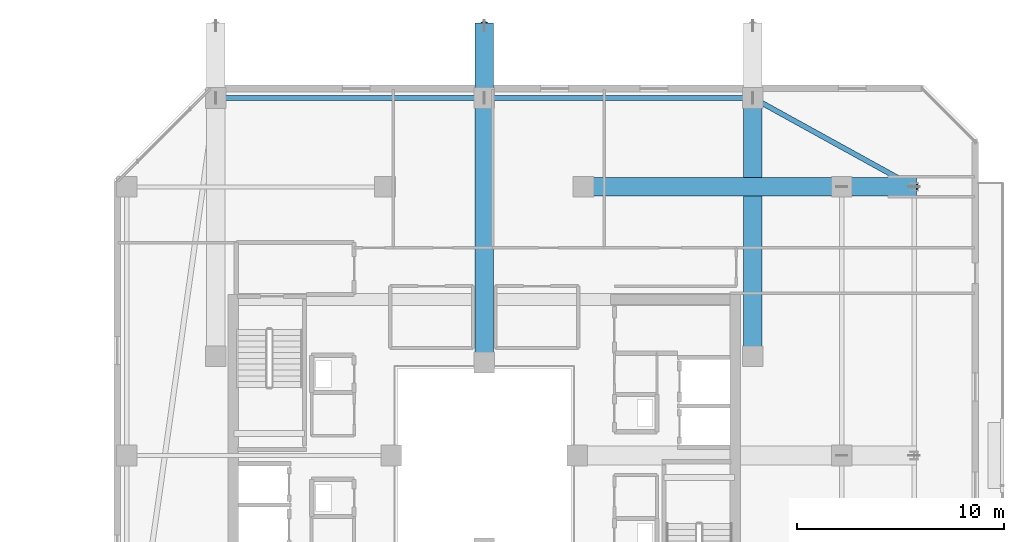
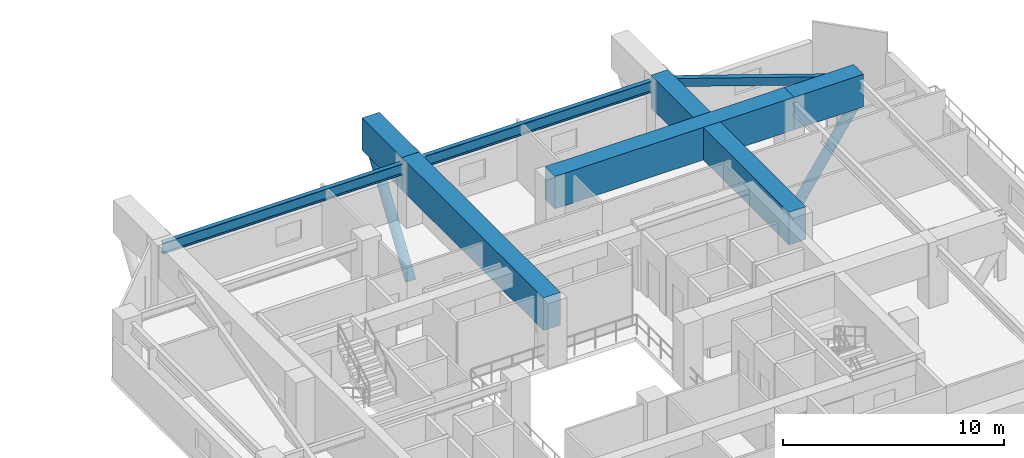
# One storey, part 15 of 34: 8 beams, 2 members.
"""IFC4 building model written with IfcOpenShell, lengths in metres."""

import ifcopenshell
import ifcopenshell.guid

model = None  # the IFC model being written
_history = None  # IfcOwnerHistory: only IFC2X3 demands one
_inside = {}  # id of a spatial element -> (the spatial element, [elements in it])
_under = {}  # id of a project, library or spatial element -> (it, [spatial elements below it])
_declared = {}  # id of a project -> (the project, [libraries it declares])
_typed = {}  # id of a type object -> (the type object, [elements of that type])
_made_of = {}  # id of a material, layer set ... -> (it, [elements and type objects made of it])


def new_model(schema):
    """Start an empty IFC model of exactly this schema.

    Asked for "IFC4X3", IfcOpenShell would pick the latest addendum, in which some entities
    have other attributes; the version numbers below select the first issue.
    IFC2X3 requires an IfcOwnerHistory on every rooted entity: one is made here for all.
    """
    global model, _history
    if schema == "IFC4X3":
        model = ifcopenshell.file(schema_version=(4, 3, 0, 0))
    else:
        model = ifcopenshell.file(schema=schema)
    _inside.clear()
    _under.clear()
    _declared.clear()
    _typed.clear()
    _made_of.clear()
    _history = None
    if model.schema == "IFC2X3":
        org = make("IfcOrganization", Name="unknown")
        user = make(
            "IfcPersonAndOrganization",
            ThePerson=make("IfcPerson", FamilyName="unknown"),
            TheOrganization=org,
        )
        app = make(
            "IfcApplication",
            ApplicationDeveloper=org,
            Version="unknown",
            ApplicationFullName="unknown",
            ApplicationIdentifier="unknown",
        )
        _history = make(
            "IfcOwnerHistory",
            OwningUser=user,
            OwningApplication=app,
            ChangeAction="ADDED",
            CreationDate=0,
        )
    return model


def make(cls, **values):
    """One entity of the class cls with the attributes given. An attribute that is None is left unset."""
    return model.create_entity(
        cls, **{name: value for name, value in values.items() if value is not None}
    )


def rooted(cls, **values):
    """An entity with a GlobalId (a new one), such as an element, a storey or a relation."""
    return make(cls, GlobalId=ifcopenshell.guid.new(), OwnerHistory=_history, **values)


def si_unit(unit_type, name, prefix=None):
    """IfcSIUnit, for example si_unit("LENGTHUNIT", "METRE", prefix="MILLI")."""
    return make("IfcSIUnit", UnitType=unit_type, Prefix=prefix, Name=name)


def assignment(units):
    """IfcUnitAssignment: the units of a project."""
    return None if units is None else make("IfcUnitAssignment", Units=units)


def point(xyz):
    """IfcCartesianPoint."""
    return None if xyz is None else make("IfcCartesianPoint", Coordinates=xyz)


def direction(xyz):
    """IfcDirection."""
    return None if xyz is None else make("IfcDirection", DirectionRatios=xyz)


def frame(location, z_axis=None, x_axis=None):
    """IfcAxis2Placement3D, a coordinate frame: its origin and axes. An axis left out is left unset."""
    return make(
        "IfcAxis2Placement3D",
        Location=point(location),
        Axis=direction(z_axis),
        RefDirection=direction(x_axis),
    )


def frame_2d(location, x_axis=None):
    """IfcAxis2Placement2D, a coordinate frame in the plane: its origin and x axis."""
    return make(
        "IfcAxis2Placement2D", Location=point(location), RefDirection=direction(x_axis)
    )


def origin():
    """The frame at (0, 0, 0) with its axes left unset."""
    return frame((0.0, 0.0, 0.0))


def origin_2d():
    """The frame at (0, 0) in the plane with its x axis left unset."""
    return frame_2d((0.0, 0.0))


def place(relative_to, where):
    """IfcLocalPlacement: puts the frame where relative to a parent placement (None: the world)."""
    return make(
        "IfcLocalPlacement", PlacementRelTo=relative_to, RelativePlacement=where
    )


def context(
    kind, dimensions, precision=None, world=None, true_north=None, identifier=None
):
    """IfcGeometricRepresentationContext, for example the 3D "Model" context."""
    return make(
        "IfcGeometricRepresentationContext",
        ContextIdentifier=identifier,
        ContextType=kind,
        CoordinateSpaceDimension=dimensions,
        Precision=precision,
        WorldCoordinateSystem=world,
        TrueNorth=true_north,
    )


def subcontext(parent, identifier, kind, view, scale=None):
    """IfcGeometricRepresentationSubContext, for example "Body" below "Model"."""
    return make(
        "IfcGeometricRepresentationSubContext",
        ContextIdentifier=identifier,
        ContextType=kind,
        ParentContext=parent,
        TargetScale=scale,
        TargetView=view,
    )


def project(units=None, contexts=None):
    """IfcProject with its units and contexts."""
    return rooted(
        "IfcProject",
        Name="project",
        RepresentationContexts=contexts,
        UnitsInContext=assignment(units),
    )


def spatial(cls, under=None, at=None, **own):
    """A site, building, storey or space (cls), placed at a placement, below another one or the project."""
    s = rooted(cls, ObjectPlacement=at, **own)
    if under is not None:
        _under.setdefault(under.id(), (under, []))[1].append(s)
    return s


def profile(cls, at=None, kind="AREA", **sizes):
    """A parametric profile (cls). Its sizes go by their IFC names, for example OverallWidth=200.0."""
    return make(cls, ProfileType=kind, Position=at, **sizes)


def rectangle(**sizes):
    """IfcRectangleProfileDef."""
    return profile("IfcRectangleProfileDef", **sizes)


def hollow_rectangle(**sizes):
    """IfcRectangleHollowProfileDef."""
    return profile("IfcRectangleHollowProfileDef", **sizes)


def hollow_circle(**sizes):
    """IfcCircleHollowProfileDef."""
    return profile("IfcCircleHollowProfileDef", **sizes)


def i_section(**sizes):
    """IfcIShapeProfileDef."""
    return profile("IfcIShapeProfileDef", **sizes)


def extrude(swept, where, along, depth):
    """IfcExtrudedAreaSolid: the profile swept, set in the frame where, extruded along a direction by depth."""
    return make(
        "IfcExtrudedAreaSolid",
        SweptArea=swept,
        Position=where,
        ExtrudedDirection=direction(along),
        Depth=depth,
    )


def shape(context_of_items, identifier, shape_type, items):
    """IfcShapeRepresentation: the items that make up one representation, for example the "Body"."""
    return make(
        "IfcShapeRepresentation",
        ContextOfItems=context_of_items,
        RepresentationIdentifier=identifier,
        RepresentationType=shape_type,
        Items=items,
    )


def material(Name=None, Category=None):
    """IfcMaterial."""
    return make("IfcMaterial", Name=Name, Category=Category)


def material_profile(
    of_material, cross_section, Name=None, Category=None, Priority=None
):
    """IfcMaterialProfile: a cross section and its material."""
    return make(
        "IfcMaterialProfile",
        Name=Name,
        Material=of_material,
        Profile=cross_section,
        Priority=Priority,
        Category=Category,
    )


def profile_set(profiles, Name=None, composite=None):
    """IfcMaterialProfileSet."""
    return make(
        "IfcMaterialProfileSet",
        Name=Name,
        MaterialProfiles=profiles,
        CompositeProfile=composite,
    )


def made_of(thing, what):
    """Note that an element or type object is made of a material, layer set ...; save() writes the relation."""
    if what is not None:
        _made_of.setdefault(what.id(), (what, []))[1].append(thing)
    return thing


def type_object(cls, material=None, **own):
    """A type object (cls), such as IfcWallType, which elements share."""
    return made_of(rooted(cls, **own), material)


def element(
    cls,
    number,
    at=None,
    inside=None,
    cuts=None,
    type_object=None,
    material=None,
    context=None,
    identifier="Body",
    shape_type=None,
    held_by="IfcProductDefinitionShape",
    body=None,
    shapes=None,
    **own,
):
    """One element of the class cls, such as IfcWall. Its Tag is "e" and its number.

    at: its placement. inside: the storey or other place that contains it. cuts: it is an
    opening in that element (IfcRelVoidsElement). A single representation is given by context,
    identifier, shape_type and body (its items); several are given by shapes. held_by: the class
    of the entity that holds the representations. save() writes the other relations.
    """
    e = rooted(cls, Tag="e%d" % number, ObjectPlacement=at, **own)
    if body is not None:
        shapes = [shape(context, identifier, shape_type, body)]
    if shapes is not None:
        e.Representation = make(held_by, Representations=shapes)
    if inside is not None:
        _inside.setdefault(inside.id(), (inside, []))[1].append(e)
    if cuts is not None:
        rooted(
            "IfcRelVoidsElement", RelatingBuildingElement=cuts, RelatedOpeningElement=e
        )
    if type_object is not None:
        _typed.setdefault(type_object.id(), (type_object, []))[1].append(e)
    return made_of(e, material)


def aggregate(whole, parts):
    """IfcRelAggregates: a whole, such as a stair, and the parts it consists of."""
    return rooted("IfcRelAggregates", RelatingObject=whole, RelatedObjects=parts)


def save(model, path):
    """Write the relations noted so far, then the file.

    IfcRelAggregates (storeys below a building ...), IfcRelContainedInSpatialStructure (elements
    in a storey), IfcRelDefinesByType, IfcRelAssociatesMaterial and IfcRelDeclares: one each for
    every whole, place, type object, material and project.
    """
    for whole, parts in _under.values():
        aggregate(whole, parts)
    for where, things in _inside.values():
        rooted(
            "IfcRelContainedInSpatialStructure",
            RelatedElements=things,
            RelatingStructure=where,
        )
    for kind, things in _typed.values():
        rooted("IfcRelDefinesByType", RelatedObjects=things, RelatingType=kind)
    for what, things in _made_of.values():
        rooted("IfcRelAssociatesMaterial", RelatedObjects=things, RelatingMaterial=what)
    for by, libraries in _declared.values():
        rooted("IfcRelDeclares", RelatingContext=by, RelatedDefinitions=libraries)
    model.write(path)


model = new_model("IFC4")

# Units and contexts
model_context = context("Model", 3, precision=1e-05, world=origin(), true_north=direction((0.0, 1.0)))
body_context = subcontext(model_context, "Body", "Model", "MODEL_VIEW")
ifc_project = project(units=[si_unit("LENGTHUNIT", "METRE"), si_unit("AREAUNIT", "SQUARE_METRE"), si_unit("VOLUMEUNIT", "CUBIC_METRE"), si_unit("PLANEANGLEUNIT", "RADIAN"), si_unit("MASSUNIT", "GRAM", prefix="KILO")], contexts=[model_context])

# Site, building, storey
site_placement = place(None, origin())
site = spatial("IfcSite", under=ifc_project, at=site_placement, CompositionType="ELEMENT")
building_placement = place(site_placement, origin())
building = spatial("IfcBuilding", under=site, at=building_placement, Name="Thornwick Lancets Civic Towers", CompositionType="ELEMENT")
storey_placement = place(building_placement, frame((0.0, 0.0, 251.10009765625)))
storey = spatial("IfcBuildingStorey", under=building, at=storey_placement, Name="L67", CompositionType="ELEMENT", Elevation=251.10009765625)

# Beams
ifc_material_1 = material(Name="Steel S355JR", Category="steel")
ifc_material_profile_1 = material_profile(ifc_material_1, i_section(OverallWidth=0.230224609375, OverallDepth=0.6171875, WebThickness=0.01318359375, FlangeThickness=0.022216796875, FilletRadius=0.0126953125, at=origin_2d()), Name="UKB 610x229x140")
ifc_profile_set_1 = profile_set([ifc_material_profile_1], Name="Steel S355JR")
beam_type_1 = type_object("IfcBeamType", Name="BM_GIRD_610_140", PredefinedType="BEAM", material=ifc_profile_set_1)
beam_1_placement = place(storey_placement, frame((101.5, 44.300048828125, 3.03125), z_axis=(-1.0, 0.0, 0.0), x_axis=(0.0, -1.0, 0.0)))
element("IfcBeam", 1, at=beam_1_placement, inside=storey, type_object=beam_type_1, Name="BM-SPINE-L67-B-3-4", PredefinedType="BEAM", context=body_context, shape_type="SweptSolid", body=[
    extrude(i_section(OverallWidth=0.230224609375, OverallDepth=0.6171875, WebThickness=0.01318359375, FlangeThickness=0.022216796875, FilletRadius=0.0126953125, at=origin_2d()), origin(), (0.0, 0.0, 1.0), 13.0),
])
beam_2_placement = place(storey_placement, frame((88.419921875, 44.300048828125, 3.03125), z_axis=(-1.0, 0.0, 0.0), x_axis=(0.0, -1.0, 0.0)))
element("IfcBeam", 2, at=beam_2_placement, inside=storey, type_object=beam_type_1, Name="BM-SPINE-L67-B-4-5", PredefinedType="BEAM", context=body_context, shape_type="SweptSolid", body=[
    extrude(i_section(OverallWidth=0.230224609375, OverallDepth=0.6171875, WebThickness=0.01318359375, FlangeThickness=0.022216796875, FilletRadius=0.0126953125, at=origin_2d()), origin(), (0.0, 0.0, 1.0), 12.919921875),
])
ifc_material_profile_2 = material_profile(ifc_material_1, hollow_rectangle(XDim=0.25, YDim=0.449951171875, WallThickness=0.01611328125, at=origin_2d()), Name="RHS 450x250x16")
ifc_profile_set_2 = profile_set([ifc_material_profile_2], Name="Steel S355JR")
beam_type_2 = type_object("IfcBeamType", Name="BM_RING_RHS450", PredefinedType="BEAM", material=ifc_profile_set_2)
beam_3_placement = place(storey_placement, frame((109.300048828125, 40.0, 3.114990234375), z_axis=(-0.875740348708, 0.482782395749, 0.0), x_axis=(-0.482782395749, -0.875740348708, 0.0)))
element("IfcBeam", 3, at=beam_3_placement, inside=storey, type_object=beam_type_2, Name="BM-CHAMF-L67-B-C0", PredefinedType="BEAM", context=body_context, shape_type="SweptSolid", body=[
    extrude(hollow_rectangle(XDim=0.25, YDim=0.449951171875, WallThickness=0.01611328125, at=origin_2d()), origin(), (0.0, 0.0, 1.0), 8.90673828125),
])
ifc_material_2 = material(Name="Concrete C60/75", Category="concrete")
ifc_material_profile_3 = material_profile(ifc_material_2, rectangle(XDim=0.89990234375, YDim=1.800048828125, at=origin_2d()), Name="RC 900x1800")
ifc_profile_set_3 = profile_set([ifc_material_profile_3], Name="Concrete C60/75")
beam_type_3 = type_object("IfcBeamType", Name="BM_TR_RC1800", PredefinedType="BEAM", material=ifc_profile_set_3)
beam_4_placement = place(storey_placement, frame((93.300048828125, 40.0, 2.699951171875), z_axis=(1.0, 0.0, 0.0), x_axis=(0.0, 1.0, 0.0)))
element("IfcBeam", 4, at=beam_4_placement, inside=storey, type_object=beam_type_3, Name="TG-BACK-L68-B03", PredefinedType="BEAM", context=body_context, shape_type="SweptSolid", body=[
    extrude(rectangle(XDim=0.89990234375, YDim=1.800048828125, at=origin_2d()), origin(), (0.0, 0.0, 1.0), 12.5),
])
beam_5_placement = place(storey_placement, frame((105.800048828125, 40.0, 2.699951171875), z_axis=(1.0, 0.0, 0.0), x_axis=(0.0, 1.0, 0.0)))
element("IfcBeam", 5, at=beam_5_placement, inside=storey, type_object=beam_type_3, Name="TG-CANT-L68-B03", PredefinedType="BEAM", context=body_context, shape_type="SweptSolid", body=[
    extrude(rectangle(XDim=0.89990234375, YDim=1.800048828125, at=origin_2d()), origin(), (0.0, 0.0, 1.0), 3.619873046875),
])
beam_6_placement = place(storey_placement, frame((101.5, 31.800048828125, 2.699951171875), z_axis=(0.0, 1.0, 0.0), x_axis=(-1.0, 0.0, 0.0)))
element("IfcBeam", 6, at=beam_6_placement, inside=storey, type_object=beam_type_3, Name="TG-BACK-L68-B04", PredefinedType="BEAM", context=body_context, shape_type="SweptSolid", body=[
    extrude(rectangle(XDim=0.89990234375, YDim=1.800048828125, at=origin_2d()), origin(), (0.0, 0.0, 1.0), 12.5),
])
beam_7_placement = place(storey_placement, frame((88.5, 31.5, 2.699951171875), z_axis=(0.0, 1.0, 0.0), x_axis=(-1.0, 0.0, 0.0)))
element("IfcBeam", 7, at=beam_7_placement, inside=storey, type_object=beam_type_3, Name="TG-BACK-L68-B05", PredefinedType="BEAM", context=body_context, shape_type="SweptSolid", body=[
    extrude(rectangle(XDim=0.89990234375, YDim=1.800048828125, at=origin_2d()), origin(), (0.0, 0.0, 1.0), 12.800048828125),
])
beam_8_placement = place(storey_placement, frame((88.5, 44.300048828125, 2.699951171875), z_axis=(0.0, 1.0, 0.0), x_axis=(-1.0, 0.0, 0.0)))
element("IfcBeam", 8, at=beam_8_placement, inside=storey, type_object=beam_type_3, Name="TG-CANT-L68-B05", PredefinedType="BEAM", context=body_context, shape_type="SweptSolid", body=[
    extrude(rectangle(XDim=0.89990234375, YDim=1.800048828125, at=origin_2d()), origin(), (0.0, 0.0, 1.0), 3.619873046875),
])

# Members
ifc_material_3 = material(Name="Steel S460M", Category="steel")
ifc_material_profile_4 = material_profile(ifc_material_3, hollow_circle(Radius=0.25390625, WallThickness=0.02490234375, at=origin_2d()), Name="CHS 508x25")
ifc_profile_set_4 = profile_set([ifc_material_profile_4], Name="Steel S460M")
member_type = type_object("IfcMemberType", Name="MEM_STRUT_CHS508", PredefinedType="STRUT", material=ifc_profile_set_4)
for number, where, z_axis, x_axis, name in (
    (9, (105.800048828125, 40.0, -3.35009765625), (0.556167580628, 0.0, 0.831070166868), (0.0, 1.0, 0.0), "L68 Jenga Transfer Raking Strut B03"),
    (10, (88.5, 44.300048828125, -3.35009765625), (0.0, 0.556167580628, 0.831070166868), (-1.0, 0.0, 0.0), "L68 Jenga Transfer Raking Strut B05"),
):
    element("IfcMember", number, at=place(storey_placement, frame(where, z_axis=z_axis, x_axis=x_axis)), inside=storey, type_object=member_type, Name=name, PredefinedType="STRUT", context=body_context, shape_type="SweptSolid", body=[
        extrude(hollow_circle(Radius=0.25390625, WallThickness=0.02490234375, at=origin_2d()), origin(), (0.0, 0.0, 1.0), 6.29296875),
    ])

save(model, "model.ifc")
